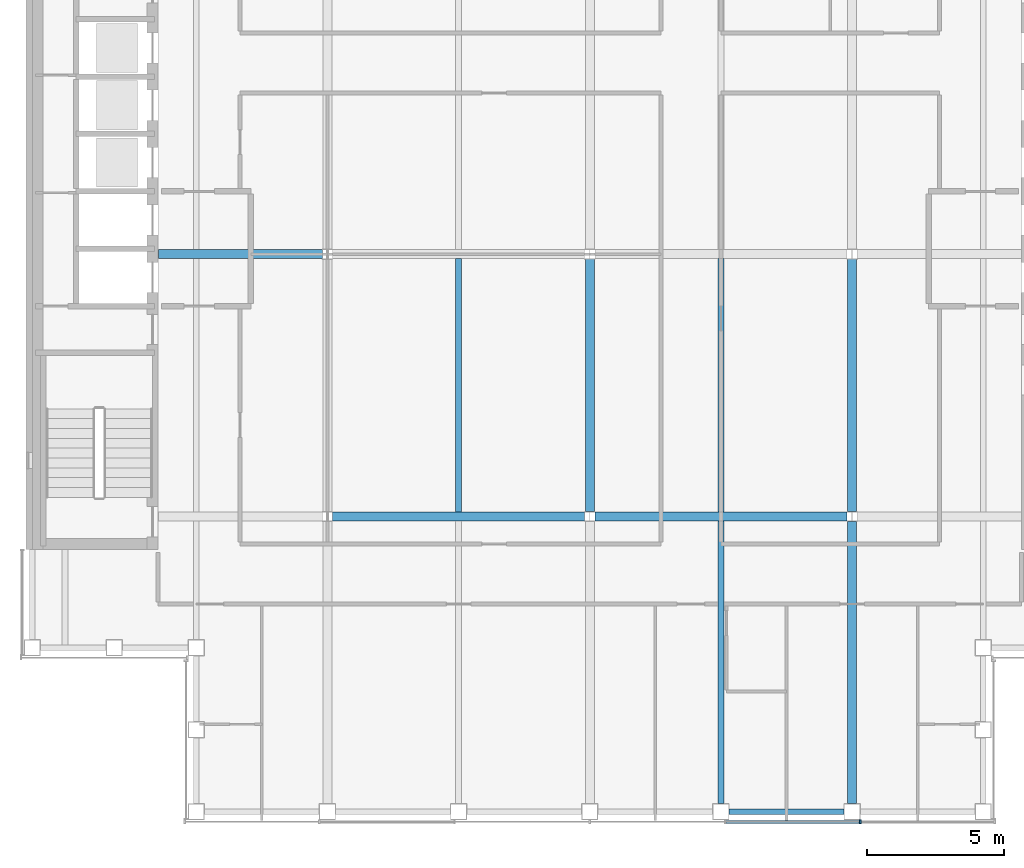
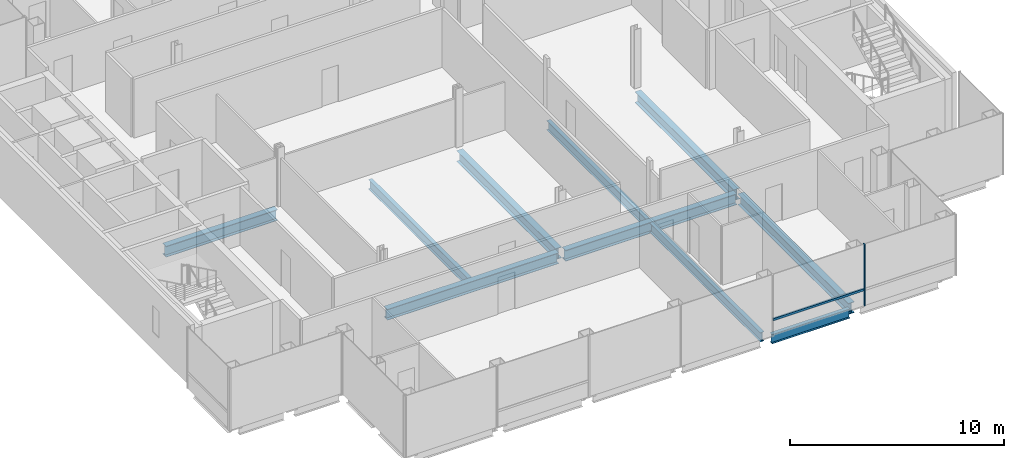
# One storey, part 4 of 15: 10 beams, 2 members, 1 element without a shape of its own.
"""IFC4 building model written with IfcOpenShell, lengths in metres."""

from ifc_helpers import new_model, si_unit, direction, frame, origin, origin_2d, place, context, subcontext, project, spatial, rectangle, i_section, extrude, material, material_profile, profile_set, type_object, element, aggregate, save


model = new_model("IFC4")

# Units and contexts
model_context = context("Model", 3, precision=1e-05, world=origin(), true_north=direction((0.0, 1.0)))
body_context = subcontext(model_context, "Body", "Model", "MODEL_VIEW")
ifc_project = project(units=[si_unit("LENGTHUNIT", "METRE"), si_unit("AREAUNIT", "SQUARE_METRE"), si_unit("VOLUMEUNIT", "CUBIC_METRE"), si_unit("PLANEANGLEUNIT", "RADIAN"), si_unit("MASSUNIT", "GRAM", prefix="KILO")], contexts=[model_context])

# Site, building, storey
site_placement = place(None, origin())
site = spatial("IfcSite", under=ifc_project, at=site_placement, CompositionType="ELEMENT")
building_placement = place(site_placement, origin())
building = spatial("IfcBuilding", under=site, at=building_placement, Name="Cobrizo Arcos Hotel Tower", CompositionType="ELEMENT")
storey_placement = place(building_placement, frame((0.0, 0.0, 251.5)))
storey = spatial("IfcBuildingStorey", under=building, at=storey_placement, Name="L66", CompositionType="ELEMENT", Elevation=251.5)

# Curtain wall, members
ifc_material_1 = material(Name="Aluminium 6063-T6 anodised bronze", Category="aluminium")
curtain_wall_type = type_object("IfcCurtainWallType", Name="CW-A guest facade", PredefinedType="NOTDEFINED", material=ifc_material_1)
curtain_wall_placement = place(storey_placement, origin())
curtain_wall = element("IfcCurtainWall", 1, at=curtain_wall_placement, inside=storey, type_object=curtain_wall_type, Name="CW-A L66 S face", PredefinedType="NOTDEFINED")
ifc_material_profile_1 = material_profile(ifc_material_1, rectangle(XDim=0.14990234375, YDim=0.06005859375, at=origin_2d()), Name="CW-A mullion 150x60")
ifc_profile_set_1 = profile_set([ifc_material_profile_1], Name="Aluminium 6063-T6 anodised bronze")
member_type_1 = type_object("IfcMemberType", Name="CW-A mullion 150x60", PredefinedType="MULLION", material=ifc_profile_set_1)
member_1_placement = place(storey_placement, frame((9.89990234375, -20.77490234375, 0.0), z_axis=(0.0, 0.0, 1.0), x_axis=(0.0, -1.0, 0.0)))
member_1 = element("IfcMember", 2, at=member_1_placement, type_object=member_type_1, Name="CW-A mullion 6", PredefinedType="MULLION", context=body_context, shape_type="SweptSolid", body=[
    extrude(rectangle(XDim=0.14990234375, YDim=0.06005859375, at=origin_2d()), origin(), (0.0, 0.0, 1.0), 3.5),
])
ifc_material_profile_2 = material_profile(ifc_material_1, rectangle(XDim=0.10009765625, YDim=0.1201171875, at=origin_2d()), Name="CW-A transom 120x100")
ifc_profile_set_2 = profile_set([ifc_material_profile_2], Name="Aluminium 6063-T6 anodised bronze")
member_type_2 = type_object("IfcMemberType", Name="CW-A transom 120x100", PredefinedType="USERDEFINED", material=ifc_profile_set_2)
member_2_placement = place(storey_placement, frame((4.97998046875, -20.77490234375, 0.929931640625), z_axis=(1.0, 0.0, 0.0), x_axis=(0.0, 1.0, 0.0)))
member_2 = element("IfcMember", 3, at=member_2_placement, type_object=member_type_2, Name="CW-A transom 2088", ObjectType="TRANSOM", PredefinedType="USERDEFINED", context=body_context, shape_type="SweptSolid", body=[
    extrude(rectangle(XDim=0.10009765625, YDim=0.1201171875, at=origin_2d()), origin(), (0.0, 0.0, 1.0), 4.89013671875),
])
aggregate(curtain_wall, [member_1, member_2])

# Beams
ifc_material_2 = material(Name="Steel ASTM A992 Grade 50", Category="steel")
ifc_material_profile_3 = material_profile(ifc_material_2, i_section(OverallWidth=0.209228515625, OverallDepth=0.533447265625, WebThickness=0.01025390625, FlangeThickness=0.015625, at=origin_2d()), Name="W21X62")
ifc_profile_set_3 = profile_set([ifc_material_profile_3], Name="Steel ASTM A992 Grade 50")
beam_type_1 = type_object("IfcBeamType", Name="W21X62 joist", PredefinedType="JOIST", material=ifc_profile_set_3)
beam_1_placement = place(storey_placement, frame((-4.800048828125, -9.43603515625, -0.416748046875), z_axis=(0.0, 1.0, 0.0), x_axis=(-1.0, 0.0, 0.0)))
element("IfcBeam", 4, at=beam_1_placement, inside=storey, type_object=beam_type_1, Name="Floor joist J1, L66, no. 008", PredefinedType="JOIST", context=body_context, shape_type="SweptSolid", body=[
    extrude(i_section(OverallWidth=0.209228515625, OverallDepth=0.533447265625, WebThickness=0.01025390625, FlangeThickness=0.015625, at=origin_2d()), origin(), (0.0, 0.0, 1.0), 9.272216796875),
])
beam_2_placement = place(storey_placement, frame((4.800048828125, -20.10009765625, -0.416748046875), z_axis=(0.0, 1.0, 0.0), x_axis=(-1.0, 0.0, 0.0)))
element("IfcBeam", 5, at=beam_2_placement, inside=storey, type_object=beam_type_1, Name="Floor joist J1, L66, no. 011", PredefinedType="JOIST", context=body_context, shape_type="SweptSolid", body=[
    extrude(i_section(OverallWidth=0.209228515625, OverallDepth=0.533447265625, WebThickness=0.01025390625, FlangeThickness=0.015625, at=origin_2d()), origin(), (0.0, 0.0, 1.0), 10.336181640625),
])
beam_3_placement = place(storey_placement, frame((4.800048828125, -9.43603515625, -0.416748046875), z_axis=(0.0, 1.0, 0.0), x_axis=(-1.0, 0.0, 0.0)))
element("IfcBeam", 6, at=beam_3_placement, inside=storey, type_object=beam_type_1, Name="Floor joist J1, L66, no. 012", PredefinedType="JOIST", context=body_context, shape_type="SweptSolid", body=[
    extrude(i_section(OverallWidth=0.209228515625, OverallDepth=0.533447265625, WebThickness=0.01025390625, FlangeThickness=0.015625, at=origin_2d()), origin(), (0.0, 0.0, 1.0), 9.272216796875),
])
ifc_material_profile_4 = material_profile(ifc_material_2, i_section(OverallWidth=0.209228515625, OverallDepth=0.533447265625, WebThickness=0.01025390625, FlangeThickness=0.015625, at=origin_2d()), Name="W21X62")
ifc_profile_set_4 = profile_set([ifc_material_profile_4], Name="Steel ASTM A992 Grade 50")
beam_type_2 = type_object("IfcBeamType", Name="W21X62 spandrel", PredefinedType="SPANDREL", material=ifc_profile_set_4)
beam_4_placement = place(storey_placement, frame((5.10009765625, -20.39990234375, -0.416748046875), z_axis=(1.0, 0.0, 0.0), x_axis=(0.0, 1.0, 0.0)))
element("IfcBeam", 7, at=beam_4_placement, inside=storey, type_object=beam_type_2, Name="Spandrel beam W21X62, L66, no. 005", PredefinedType="SPANDREL", context=body_context, shape_type="SweptSolid", body=[
    extrude(i_section(OverallWidth=0.209228515625, OverallDepth=0.533447265625, WebThickness=0.01025390625, FlangeThickness=0.015625, at=origin_2d()), origin(), (0.0, 0.0, 1.0), 4.199951171875),
])
ifc_material_profile_5 = material_profile(ifc_material_2, i_section(OverallWidth=0.32763671875, OverallDepth=0.622314453125, WebThickness=0.015380859375, FlangeThickness=0.0244140625, at=origin_2d()), Name="W24X131")
ifc_profile_set_5 = profile_set([ifc_material_profile_5], Name="Steel ASTM A992 Grade 50")
beam_type_3 = type_object("IfcBeamType", Name="W24X131 girder", PredefinedType="BEAM", material=ifc_profile_set_5)
for number, where, z_axis, x_axis, name in (
    (8, (-9.415771484375, -9.60009765625, -0.461181640625), (1.0, 0.0, 0.0), (0.0, 1.0, 0.0), "Floor girder G1, L66, no. 002"),
    (9, (0.18408203125, -9.60009765625, -0.461181640625), (1.0, 0.0, 0.0), (0.0, 1.0, 0.0), "Floor girder G1, L66, no. 003"),
):
    element("IfcBeam", number, at=place(storey_placement, frame(where, z_axis=z_axis, x_axis=x_axis)), inside=storey, type_object=beam_type_3, Name=name, PredefinedType="BEAM", context=body_context, shape_type="SweptSolid", body=[
        extrude(i_section(OverallWidth=0.32763671875, OverallDepth=0.622314453125, WebThickness=0.015380859375, FlangeThickness=0.0244140625, at=origin_2d()), origin(), (0.0, 0.0, 1.0), 9.231689453125),
    ])
beam_5_placement = place(storey_placement, frame((-15.7900390625, 0.0, -0.461181640625), z_axis=(1.0, 0.0, 0.0), x_axis=(0.0, 1.0, 0.0)))
element("IfcBeam", 10, at=beam_5_placement, inside=storey, type_object=beam_type_3, Name="Floor girder G1, L66, no. 005", PredefinedType="BEAM", context=body_context, shape_type="SweptSolid", body=[
    extrude(i_section(OverallWidth=0.32763671875, OverallDepth=0.622314453125, WebThickness=0.015380859375, FlangeThickness=0.0244140625, at=origin_2d()), origin(), (0.0, 0.0, 1.0), 6.005859375),
])
beam_6_placement = place(storey_placement, frame((0.0, -9.415771484375, -0.461181640625), z_axis=(0.0, 1.0, 0.0), x_axis=(-1.0, 0.0, 0.0)))
element("IfcBeam", 11, at=beam_6_placement, inside=storey, type_object=beam_type_3, Name="Floor girder G1, L66, no. 018", PredefinedType="BEAM", context=body_context, shape_type="SweptSolid", body=[
    extrude(i_section(OverallWidth=0.32763671875, OverallDepth=0.622314453125, WebThickness=0.015380859375, FlangeThickness=0.0244140625, at=origin_2d()), origin(), (0.0, 0.0, 1.0), 9.231689453125),
])
beam_7_placement = place(storey_placement, frame((9.60009765625, -20.10009765625, -0.461181640625), z_axis=(0.0, 1.0, 0.0), x_axis=(-1.0, 0.0, 0.0)))
element("IfcBeam", 12, at=beam_7_placement, inside=storey, type_object=beam_type_3, Name="Floor girder G1, L66, no. 021", PredefinedType="BEAM", context=body_context, shape_type="SweptSolid", body=[
    extrude(i_section(OverallWidth=0.32763671875, OverallDepth=0.622314453125, WebThickness=0.015380859375, FlangeThickness=0.0244140625, at=origin_2d()), origin(), (0.0, 0.0, 1.0), 10.31591796875),
])
beam_8_placement = place(storey_placement, frame((9.60009765625, -9.415771484375, -0.461181640625), z_axis=(0.0, 1.0, 0.0), x_axis=(-1.0, 0.0, 0.0)))
element("IfcBeam", 13, at=beam_8_placement, inside=storey, type_object=beam_type_3, Name="Floor girder G1, L66, no. 022", PredefinedType="BEAM", context=body_context, shape_type="SweptSolid", body=[
    extrude(i_section(OverallWidth=0.32763671875, OverallDepth=0.622314453125, WebThickness=0.015380859375, FlangeThickness=0.0244140625, at=origin_2d()), origin(), (0.0, 0.0, 1.0), 9.231689453125),
])

save(model, "model.ifc")
